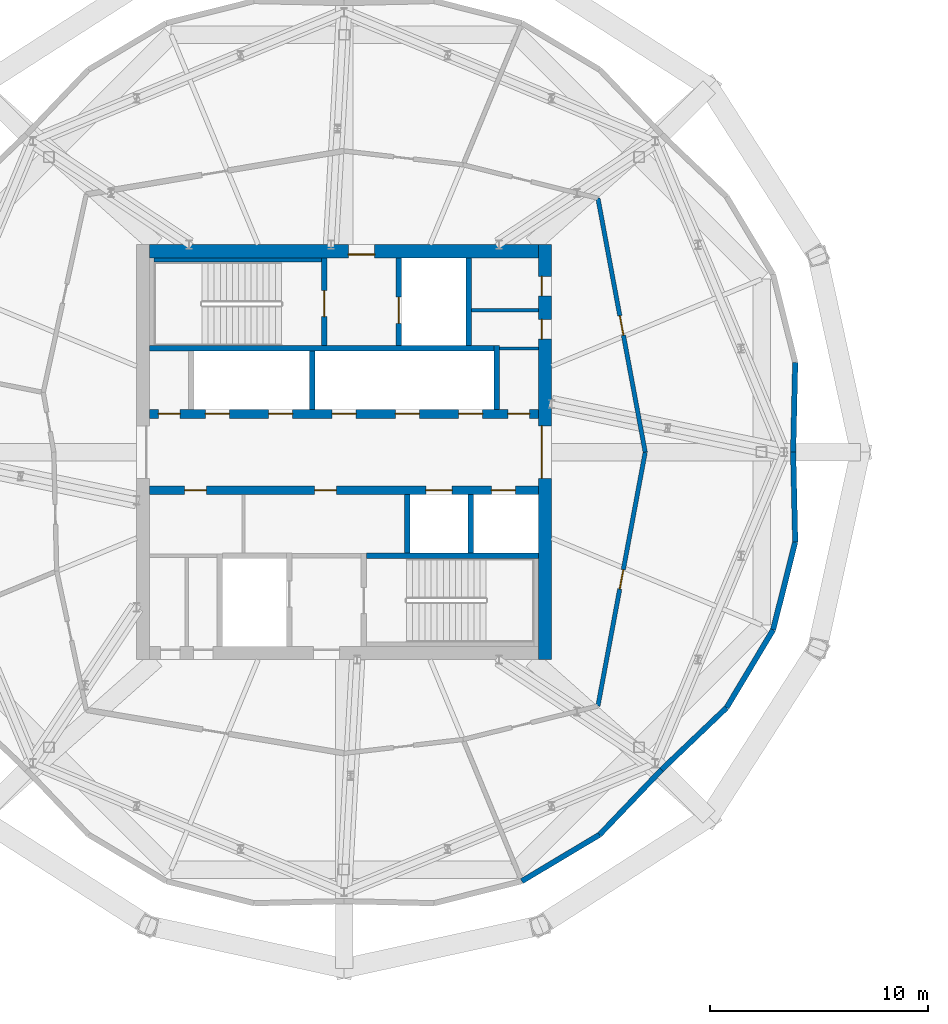
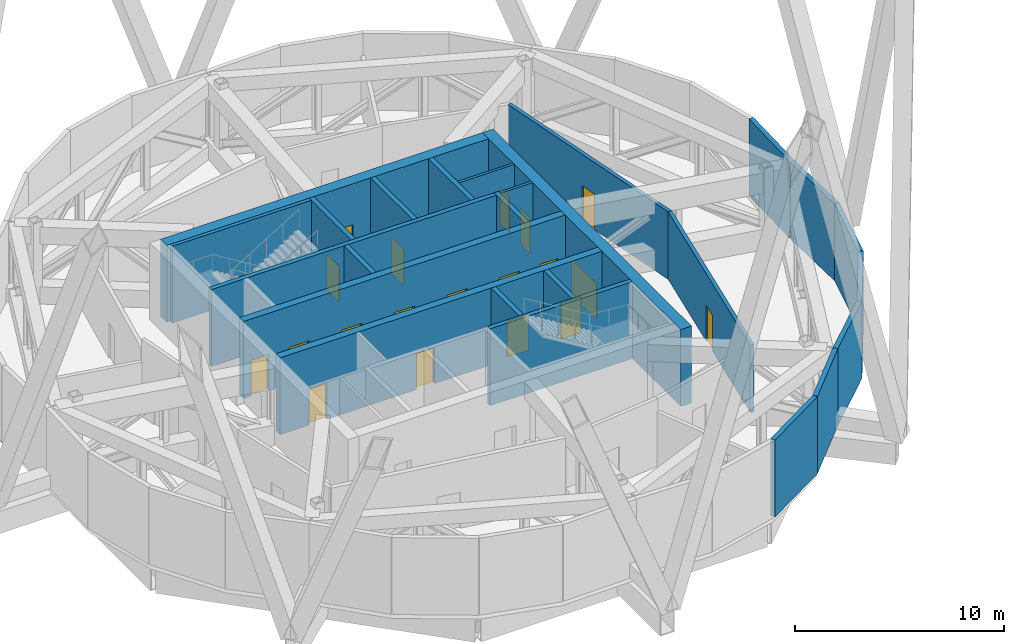
# One storey, part 13 of 19: 25 walls, 19 doors, 19 openings.
"""IFC4 building model written with IfcOpenShell, lengths in metres."""

from ifc_helpers import new_model, si_unit, direction, frame, frame_2d, origin, place, context, subcontext, project, spatial, rectangle, extrude, material, layer, layer_set, type_object, element, fill, save


model = new_model("IFC4")

# Units and contexts
model_context = context("Model", 3, precision=1e-05, world=origin(), true_north=direction((0.0, 1.0)))
body_context = subcontext(model_context, "Body", "Model", "MODEL_VIEW")
ifc_project = project(units=[si_unit("LENGTHUNIT", "METRE"), si_unit("AREAUNIT", "SQUARE_METRE"), si_unit("VOLUMEUNIT", "CUBIC_METRE"), si_unit("PLANEANGLEUNIT", "RADIAN"), si_unit("MASSUNIT", "GRAM", prefix="KILO")], contexts=[model_context])

# Site, building, storey
site_placement = place(None, origin())
site = spatial("IfcSite", under=ifc_project, at=site_placement, CompositionType="ELEMENT")
building_placement = place(site_placement, origin())
building = spatial("IfcBuilding", under=site, at=building_placement, Name="Ogive Gate Towers", CompositionType="ELEMENT")
storey_placement = place(building_placement, frame((0.0, 0.0, 216.300048828125)))
storey = spatial("IfcBuildingStorey", under=building, at=storey_placement, Name="L52", CompositionType="ELEMENT", Elevation=216.300048828125)

# Wall, opening, door
ifc_material_1 = material(Name="Fire-rated block compartment wall")
ifc_layer_1 = layer(ifc_material_1, 0.199951171875)
ifc_layer_set_1 = layer_set([ifc_layer_1], Name="Compartment wall 200")
wall_type_1 = type_object("IfcWallType", Name="Compartment wall 200", PredefinedType="PARTITIONING", material=ifc_layer_set_1)
wall_1_placement = place(storey_placement, frame((-22.2099609375, 0.0, 0.0), z_axis=(0.0, 0.0, 1.0), x_axis=(-0.183091690183, 0.983095841201, 0.0)))
wall_1 = element("IfcWall", 1, at=wall_1_placement, inside=storey, type_object=wall_type_1, Name="Partition T1-L52-005", PredefinedType="PARTITIONING", context=body_context, shape_type="SweptSolid", body=[
    extrude(rectangle(XDim=11.824951171875, YDim=0.199951171875, at=frame_2d((5.91259765625, 0.0))), origin(), (0.0, 0.0, 1.0), 3.949951171875),
])
opening_1_placement = place(wall_1_placement, frame((5.449951171875, 0.0, 0.0)))
opening_1 = element("IfcOpeningElement", 2, at=opening_1_placement, cuts=wall_1, Name="Opening T1-L52-D01", PredefinedType="OPENING", context=body_context, shape_type="SweptSolid", body=[
    extrude(rectangle(XDim=0.89990234375, YDim=2.10009765625, at=frame_2d((0.449951171875, 1.050048828125))), frame((0.0, 0.10986328125, 0.0), z_axis=(0.0, -1.0, 0.0), x_axis=(1.0, 0.0, 0.0)), (0.0, 0.0, 1.0), 0.219970703125),
])
ifc_material_2 = material(Name="Steel fire door", Category="steel")
door_type_1 = type_object("IfcDoorType", Name="Fire door 900 FD30S", OperationType="NOTDEFINED", PredefinedType="DOOR", material=ifc_material_2)
door_1_placement = place(opening_1_placement, origin())
door_1 = element("IfcDoor", 3, at=door_1_placement, inside=storey, type_object=door_type_1, Name="Door T1-L52-D01", OperationType="SINGLE_SWING_RIGHT", OverallHeight=2.10009765625, OverallWidth=0.89990234375, PredefinedType="DOOR", context=body_context, shape_type="SweptSolid", body=[
    extrude(rectangle(XDim=0.89990234375, YDim=2.10009765625, at=frame_2d((0.449951171875, 1.050048828125))), frame((0.0, 0.02490234375, 0.0), z_axis=(0.0, -1.0, 0.0), x_axis=(1.0, 0.0, 0.0)), (0.0, 0.0, 1.0), 0.050048828125),
])
fill(opening_1, door_1)

wall_2_placement = place(storey_placement, frame((-24.375, -11.625, 0.0), z_axis=(0.0, 0.0, 1.0), x_axis=(0.183091690183, 0.983095841201, 0.0)))
wall_2 = element("IfcWall", 4, at=wall_2_placement, inside=storey, type_object=wall_type_1, Name="Partition T1-L52-016", PredefinedType="PARTITIONING", context=body_context, shape_type="SweptSolid", body=[
    extrude(rectangle(XDim=11.824951171875, YDim=0.199951171875, at=frame_2d((5.91259765625, 0.0))), origin(), (0.0, 0.0, 1.0), 3.949951171875),
])
opening_2_placement = place(wall_2_placement, frame((5.449951171875, 0.0, 0.0)))
opening_2 = element("IfcOpeningElement", 5, at=opening_2_placement, cuts=wall_2, Name="Opening T1-L52-D12", PredefinedType="OPENING", context=body_context, shape_type="SweptSolid", body=[
    extrude(rectangle(XDim=0.89990234375, YDim=2.10009765625, at=frame_2d((0.449951171875, 1.050048828125))), frame((0.0, 0.10986328125, 0.0), z_axis=(0.0, -1.0, 0.0), x_axis=(1.0, 0.0, 0.0)), (0.0, 0.0, 1.0), 0.219970703125),
])
door_2_placement = place(opening_2_placement, origin())
door_2 = element("IfcDoor", 6, at=door_2_placement, inside=storey, type_object=door_type_1, Name="Door T1-L52-D12", OperationType="SINGLE_SWING_LEFT", OverallHeight=2.10009765625, OverallWidth=0.89990234375, PredefinedType="DOOR", context=body_context, shape_type="SweptSolid", body=[
    extrude(rectangle(XDim=0.89990234375, YDim=2.10009765625, at=frame_2d((0.449951171875, 1.050048828125))), frame((0.0, 0.02490234375, 0.0), z_axis=(0.0, -1.0, 0.0), x_axis=(1.0, 0.0, 0.0)), (0.0, 0.0, 1.0), 0.050048828125),
])
fill(opening_2, door_2)

ifc_material_3 = material(Name="Concrete C60/75", Category="concrete")
ifc_layer_2 = layer(ifc_material_3, 0.60009765625)
ifc_layer_set_2 = layer_set([ifc_layer_2], Name="Core wall 600 mm")
wall_type_2 = type_object("IfcWallType", Name="Core wall 600 mm", PredefinedType="SHEAR", material=ifc_layer_set_2)
wall_3_placement = place(storey_placement, frame((-44.89990234375, 9.199951171875, 0.0), z_axis=(0.0, 0.0, 1.0), x_axis=(1.0, 0.0, 0.0)))
wall_3 = element("IfcWall", 7, at=wall_3_placement, inside=storey, type_object=wall_type_2, Name="T1 L52 Core wall 600 mm", PredefinedType="SHEAR", context=body_context, shape_type="SweptSolid", body=[
    extrude(rectangle(XDim=17.7998046875, YDim=0.60009765625, at=frame_2d((8.89990234375, 0.0))), origin(), (0.0, 0.0, 1.0), 4.5),
])
opening_3_placement = place(wall_3_placement, frame((9.10009765625, 0.0, 0.0)))
opening_3 = element("IfcOpeningElement", 8, at=opening_3_placement, cuts=wall_3, Name="Opening KD-T1-L52-18", PredefinedType="OPENING", context=body_context, shape_type="SweptSolid", body=[
    extrude(rectangle(XDim=1.199951171875, YDim=2.10009765625, at=frame_2d((0.60009765625, 1.050048828125))), frame((0.0, 0.31005859375, 0.0), z_axis=(0.0, -1.0, 0.0), x_axis=(1.0, 0.0, 0.0)), (0.0, 0.0, 1.0), 0.6201171875),
])
door_type_2 = type_object("IfcDoorType", Name="Core door FD60S 1200 x 2100", OperationType="NOTDEFINED", PredefinedType="DOOR", material=ifc_material_2)
door_3_placement = place(opening_3_placement, origin())
door_3 = element("IfcDoor", 9, at=door_3_placement, inside=storey, type_object=door_type_2, Name="T1 L52 Fire-fighting lobby door", OperationType="SINGLE_SWING_LEFT", OverallHeight=2.10009765625, OverallWidth=1.199951171875, PredefinedType="DOOR", context=body_context, shape_type="SweptSolid", body=[
    extrude(rectangle(XDim=1.199951171875, YDim=2.10009765625, at=frame_2d((0.60009765625, 1.050048828125))), frame((0.0, -0.125, 0.0), z_axis=(0.0, -1.0, 0.0), x_axis=(1.0, 0.0, 0.0)), (0.0, 0.0, 1.0), 0.050048828125),
])
fill(opening_3, door_3)

# Wall, openings, doors
wall_4_placement = place(storey_placement, frame((-26.800048828125, -9.5, 0.0), z_axis=(0.0, 0.0, 1.0), x_axis=(0.0, 1.0, 0.0)))
wall_4 = element("IfcWall", 10, at=wall_4_placement, inside=storey, type_object=wall_type_2, Name="T1 L52 Core wall 600 mm", PredefinedType="SHEAR", context=body_context, shape_type="SweptSolid", body=[
    extrude(rectangle(XDim=19.0, YDim=0.60009765625, at=frame_2d((9.5, 0.0))), origin(), (0.0, 0.0, 1.0), 4.5),
])
opening_4_placement = place(wall_4_placement, frame((8.300048828125, 0.0, 0.0)))
opening_4 = element("IfcOpeningElement", 11, at=opening_4_placement, cuts=wall_4, Name="Opening KD-T1-L52-02", PredefinedType="OPENING", context=body_context, shape_type="SweptSolid", body=[
    extrude(rectangle(XDim=2.39990234375, YDim=2.10009765625, at=frame_2d((1.199951171875, 1.050048828125))), frame((0.0, 0.31005859375, 0.0), z_axis=(0.0, -1.0, 0.0), x_axis=(1.0, 0.0, 0.0)), (0.0, 0.0, 1.0), 0.6201171875),
])
opening_5_placement = place(wall_4_placement, frame((14.675048828125, 0.0, 0.0)))
opening_5 = element("IfcOpeningElement", 12, at=opening_5_placement, cuts=wall_4, Name="Opening KD-T1-L52-20", PredefinedType="OPENING", context=body_context, shape_type="SweptSolid", body=[
    extrude(rectangle(XDim=0.89990234375, YDim=2.10009765625, at=frame_2d((0.449951171875, 1.050048828125))), frame((0.0, 0.31005859375, 0.0), z_axis=(0.0, -1.0, 0.0), x_axis=(1.0, 0.0, 0.0)), (0.0, 0.0, 1.0), 0.6201171875),
])
opening_6_placement = place(wall_4_placement, frame((16.64990234375, 0.0, 0.0)))
opening_6 = element("IfcOpeningElement", 13, at=opening_6_placement, cuts=wall_4, Name="Opening KD-T1-L52-21", PredefinedType="OPENING", context=body_context, shape_type="SweptSolid", body=[
    extrude(rectangle(XDim=0.89990234375, YDim=2.10009765625, at=frame_2d((0.449951171875, 1.050048828125))), frame((0.0, 0.31005859375, 0.0), z_axis=(0.0, -1.0, 0.0), x_axis=(1.0, 0.0, 0.0)), (0.0, 0.0, 1.0), 0.6201171875),
])
door_type_3 = type_object("IfcDoorType", Name="Core door FD60S 900 x 2100", OperationType="NOTDEFINED", PredefinedType="DOOR", material=ifc_material_2)
door_4_placement = place(opening_5_placement, origin())
door_4 = element("IfcDoor", 14, at=door_4_placement, inside=storey, type_object=door_type_3, Name="T1 L52 Core door", OperationType="SINGLE_SWING_LEFT", OverallHeight=2.10009765625, OverallWidth=0.89990234375, PredefinedType="DOOR", context=body_context, shape_type="SweptSolid", body=[
    extrude(rectangle(XDim=0.89990234375, YDim=2.10009765625, at=frame_2d((0.449951171875, 1.050048828125))), frame((0.0, 0.1748046875, 0.0), z_axis=(0.0, -1.0, 0.0), x_axis=(1.0, 0.0, 0.0)), (0.0, 0.0, 1.0), 0.050048828125),
])
fill(opening_5, door_4)
door_5_placement = place(opening_6_placement, origin())
door_5 = element("IfcDoor", 15, at=door_5_placement, inside=storey, type_object=door_type_3, Name="T1 L52 Core door", OperationType="SINGLE_SWING_RIGHT", OverallHeight=2.10009765625, OverallWidth=0.89990234375, PredefinedType="DOOR", context=body_context, shape_type="SweptSolid", body=[
    extrude(rectangle(XDim=0.89990234375, YDim=2.10009765625, at=frame_2d((0.449951171875, 1.050048828125))), frame((0.0, 0.1748046875, 0.0), z_axis=(0.0, -1.0, 0.0), x_axis=(1.0, 0.0, 0.0)), (0.0, 0.0, 1.0), 0.050048828125),
])
fill(opening_6, door_5)
door_type_4 = type_object("IfcDoorType", Name="Core double door FD60S 2400 x 2100", OperationType="DOUBLE_DOOR_SINGLE_SWING", PredefinedType="DOOR", material=ifc_material_2)
door_6_placement = place(opening_4_placement, origin())
door_6 = element("IfcDoor", 16, at=door_6_placement, inside=storey, type_object=door_type_4, Name="T1 L52 Core door double", OperationType="DOUBLE_DOOR_SINGLE_SWING", OverallHeight=2.10009765625, OverallWidth=2.39990234375, PredefinedType="DOOR", context=body_context, shape_type="SweptSolid", body=[
    extrude(rectangle(XDim=2.39990234375, YDim=2.10009765625, at=frame_2d((1.199951171875, 1.050048828125))), frame((0.0, 0.1748046875, 0.0), z_axis=(0.0, -1.0, 0.0), x_axis=(1.0, 0.0, 0.0)), (0.0, 0.0, 1.0), 0.050048828125),
])
fill(opening_4, door_6)

# Walls
ifc_material_4 = material(Name="Pale metal aluminium louvre", Category="aluminium")
ifc_layer_3 = layer(ifc_material_4, 0.25)
ifc_layer_set_3 = layer_set([ifc_layer_3], Name="Plant louvre wall")
wall_type_3 = type_object("IfcWallType", Name="Plant louvre wall", PredefinedType="SOLIDWALL", material=ifc_layer_set_3)
wall_5_placement = place(storey_placement, frame((-15.43505859375, 0.0, 0.0), z_axis=(0.0, 0.0, 1.0), x_axis=(0.02303289986, 0.999734707572, 0.0)))
element("IfcWall", 17, at=wall_5_placement, inside=storey, type_object=wall_type_3, Name="Plant louvre wall", PredefinedType="SOLIDWALL", context=body_context, shape_type="SweptSolid", body=[
    extrude(rectangle(XDim=4.112548828125, YDim=0.25, at=frame_2d((2.05615234375, 0.0))), origin(), (0.0, 0.0, 1.0), 4.5),
])
wall_6_placement = place(storey_placement, frame((-27.8623046875, -19.64599609375, 0.0), z_axis=(0.0, 0.0, 1.0), x_axis=(0.858363438852, 0.513042110204, 0.0)))
element("IfcWall", 18, at=wall_6_placement, inside=storey, type_object=wall_type_3, Name="Plant louvre wall", PredefinedType="SOLIDWALL", context=body_context, shape_type="SweptSolid", body=[
    extrude(rectangle(XDim=4.1513671875, YDim=0.25, at=frame_2d((2.07568359375, 0.0))), origin(), (0.0, 0.0, 1.0), 4.5),
])
for number, where, z_axis, x_axis, name in (
    (19, (-24.298828125, -17.51611328125, 0.0), (0.0, 0.0, 1.0), (0.690594329072, 0.723242333283, 0.0), "Plant louvre wall"),
    (20, (-21.45849609375, -14.54150390625, 0.0), (0.0, 0.0, 1.0), (0.723242333283, 0.690594329072, 0.0), "Plant louvre wall"),
):
    element("IfcWall", number, at=place(storey_placement, frame(where, z_axis=z_axis, x_axis=x_axis)), inside=storey, type_object=wall_type_3, Name=name, PredefinedType="SOLIDWALL", context=body_context, shape_type="SweptSolid", body=[
        extrude(rectangle(XDim=4.11279296875, YDim=0.25, at=frame_2d((2.056396484375, 0.0))), origin(), (0.0, 0.0, 1.0), 4.5),
    ])
wall_7_placement = place(storey_placement, frame((-18.48388671875, -11.701171875, 0.0), z_axis=(0.0, 0.0, 1.0), x_axis=(0.513042110204, 0.858363438852, 0.0)))
element("IfcWall", 21, at=wall_7_placement, inside=storey, type_object=wall_type_3, Name="Plant louvre wall", PredefinedType="SOLIDWALL", context=body_context, shape_type="SweptSolid", body=[
    extrude(rectangle(XDim=4.1513671875, YDim=0.25, at=frame_2d((2.07568359375, 0.0))), origin(), (0.0, 0.0, 1.0), 4.5),
])
wall_8_placement = place(storey_placement, frame((-16.35400390625, -8.1376953125, 0.0), z_axis=(0.0, 0.0, 1.0), x_axis=(0.244154126363, 0.969736439751, 0.0)))
element("IfcWall", 22, at=wall_8_placement, inside=storey, type_object=wall_type_3, Name="Plant louvre wall", PredefinedType="SOLIDWALL", context=body_context, shape_type="SweptSolid", body=[
    extrude(rectangle(XDim=4.15185546875, YDim=0.25, at=frame_2d((2.075927734375, 0.0))), origin(), (0.0, 0.0, 1.0), 4.5),
])
wall_9_placement = place(storey_placement, frame((-15.34033203125, -4.111572265625, 0.0), z_axis=(0.0, 0.0, 1.0), x_axis=(-0.02303289986, 0.999734707572, 0.0)))
element("IfcWall", 23, at=wall_9_placement, inside=storey, type_object=wall_type_3, Name="Plant louvre wall", PredefinedType="SOLIDWALL", context=body_context, shape_type="SweptSolid", body=[
    extrude(rectangle(XDim=4.112548828125, YDim=0.25, at=frame_2d((2.05615234375, 0.0))), origin(), (0.0, 0.0, 1.0), 4.5),
])
ifc_material_5 = material(Name="Gypsum board partition")
ifc_layer_4 = layer(ifc_material_5, 0.14990234375)
ifc_layer_set_4 = layer_set([ifc_layer_4], Name="Room partition 150 mm")
wall_type_4 = type_object("IfcWallType", Name="Room partition 150 mm", PredefinedType="PARTITIONING", material=ifc_layer_set_4)
wall_10_placement = place(storey_placement, frame((-28.875, 4.75, 0.0), z_axis=(0.0, 0.0, 1.0), x_axis=(1.0, 0.0, 0.0)))
element("IfcWall", 24, at=wall_10_placement, inside=storey, type_object=wall_type_4, Name="T1 L52 Room partition 150 mm", PredefinedType="PARTITIONING", context=body_context, shape_type="SweptSolid", body=[
    extrude(rectangle(XDim=1.77490234375, YDim=0.14990234375, at=frame_2d((0.887451171875, 0.0))), origin(), (0.0, 0.0, 1.0), 4.5),
])
wall_11_placement = place(storey_placement, frame((-30.175048828125, 6.5, 0.0), z_axis=(0.0, 0.0, 1.0), x_axis=(1.0, 0.0, 0.0)))
element("IfcWall", 25, at=wall_11_placement, inside=storey, type_object=wall_type_4, Name="T1 L52 Room partition 150 mm", PredefinedType="PARTITIONING", context=body_context, shape_type="SweptSolid", body=[
    extrude(rectangle(XDim=3.074951171875, YDim=0.14990234375, at=frame_2d((1.53759765625, 0.0))), origin(), (0.0, 0.0, 1.0), 4.5),
])
ifc_layer_5 = layer(ifc_material_3, 0.25)
ifc_layer_set_5 = layer_set([ifc_layer_5], Name="Shaft wall 250 mm")
wall_type_5 = type_object("IfcWallType", Name="Shaft wall 250 mm", PredefinedType="SHEAR", material=ifc_layer_set_5)
wall_12_placement = place(storey_placement, frame((-34.97509765625, -4.75, 0.0), z_axis=(0.0, 0.0, 1.0), x_axis=(1.0, 0.0, 0.0)))
element("IfcWall", 26, at=wall_12_placement, inside=storey, type_object=wall_type_5, Name="T1 L52 Shaft wall 250 mm", PredefinedType="SHEAR", context=body_context, shape_type="SweptSolid", body=[
    extrude(rectangle(XDim=7.875, YDim=0.25, at=frame_2d((3.9375, 0.0))), origin(), (0.0, 0.0, 1.0), 4.5),
])
wall_13_placement = place(storey_placement, frame((-44.89990234375, 4.75, 0.0), z_axis=(0.0, 0.0, 1.0), x_axis=(1.0, 0.0, 0.0)))
element("IfcWall", 27, at=wall_13_placement, inside=storey, type_object=wall_type_5, Name="T1 L52 Shaft wall 250 mm", PredefinedType="SHEAR", context=body_context, shape_type="SweptSolid", body=[
    extrude(rectangle(XDim=15.77490234375, YDim=0.25, at=frame_2d((7.887451171875, 0.0))), origin(), (0.0, 0.0, 1.0), 4.5),
])
wall_14_placement = place(storey_placement, frame((-37.449951171875, 1.949951171875, 0.0), z_axis=(0.0, 0.0, 1.0), x_axis=(0.0, 1.0, 0.0)))
element("IfcWall", 28, at=wall_14_placement, inside=storey, type_object=wall_type_5, Name="T1 L52 Shaft wall 250 mm", PredefinedType="SHEAR", context=body_context, shape_type="SweptSolid", body=[
    extrude(rectangle(XDim=2.675048828125, YDim=0.25, at=frame_2d((1.33740234375, 0.0))), origin(), (0.0, 0.0, 1.0), 4.5),
])

# Wall, opening, door
wall_15_placement = place(storey_placement, frame((-36.89990234375, 4.875, 0.0), z_axis=(0.0, 0.0, 1.0), x_axis=(0.0, 1.0, 0.0)))
wall_15 = element("IfcWall", 29, at=wall_15_placement, inside=storey, type_object=wall_type_5, Name="T1 L52 Shaft wall 250 mm", PredefinedType="SHEAR", context=body_context, shape_type="SweptSolid", body=[
    extrude(rectangle(XDim=4.02490234375, YDim=0.25, at=frame_2d((2.012451171875, 0.0))), origin(), (0.0, 0.0, 1.0), 4.5),
])
opening_7_placement = place(wall_15_placement, frame((1.324951171875, 0.0, 0.0)))
opening_7 = element("IfcOpeningElement", 30, at=opening_7_placement, cuts=wall_15, Name="Opening KD-T1-L52-16", PredefinedType="OPENING", context=body_context, shape_type="SweptSolid", body=[
    extrude(rectangle(XDim=1.199951171875, YDim=2.10009765625, at=frame_2d((0.60009765625, 1.050048828125))), frame((0.0, 0.135009765625, 0.0), z_axis=(0.0, -1.0, 0.0), x_axis=(1.0, 0.0, 0.0)), (0.0, 0.0, 1.0), 0.27001953125),
])
door_7_placement = place(opening_7_placement, origin())
door_7 = element("IfcDoor", 31, at=door_7_placement, inside=storey, type_object=door_type_2, Name="T1 L52 Stair door", OperationType="SINGLE_SWING_LEFT", OverallHeight=2.10009765625, OverallWidth=1.199951171875, PredefinedType="DOOR", context=body_context, shape_type="SweptSolid", body=[
    extrude(rectangle(XDim=1.199951171875, YDim=2.10009765625, at=frame_2d((0.60009765625, 1.050048828125))), frame((0.0, 0.02490234375, 0.0), z_axis=(0.0, -1.0, 0.0), x_axis=(1.0, 0.0, 0.0)), (0.0, 0.0, 1.0), 0.050048828125),
])
fill(opening_7, door_7)

wall_16_placement = place(storey_placement, frame((-33.5, 4.875, 0.0), z_axis=(0.0, 0.0, 1.0), x_axis=(0.0, 1.0, 0.0)))
wall_16 = element("IfcWall", 32, at=wall_16_placement, inside=storey, type_object=wall_type_5, Name="T1 L52 Shaft wall 250 mm", PredefinedType="SHEAR", context=body_context, shape_type="SweptSolid", body=[
    extrude(rectangle(XDim=4.02490234375, YDim=0.25, at=frame_2d((2.012451171875, 0.0))), origin(), (0.0, 0.0, 1.0), 4.5),
])
opening_8_placement = place(wall_16_placement, frame((1.02490234375, 0.0, 0.0)))
opening_8 = element("IfcOpeningElement", 33, at=opening_8_placement, cuts=wall_16, Name="Opening LD-T1-L52-12", PredefinedType="OPENING", context=body_context, shape_type="SweptSolid", body=[
    extrude(rectangle(XDim=1.199951171875, YDim=2.10009765625, at=frame_2d((0.60009765625, 1.050048828125))), frame((0.0, 0.135009765625, 0.0), z_axis=(0.0, -1.0, 0.0), x_axis=(1.0, 0.0, 0.0)), (0.0, 0.0, 1.0), 0.27001953125),
])
ifc_material_6 = material(Name="Stainless steel landing door", Category="steel")
door_type_5 = type_object("IfcDoorType", Name="Landing door 1200 x 2100", OperationType="SLIDING_TO_LEFT", PredefinedType="DOOR", material=ifc_material_6)
door_8_placement = place(opening_8_placement, origin())
door_8 = element("IfcDoor", 34, at=door_8_placement, inside=storey, type_object=door_type_5, Name="T1 L52 Lift landing door FF1", OperationType="SLIDING_TO_LEFT", OverallHeight=2.10009765625, OverallWidth=1.199951171875, PredefinedType="DOOR", context=body_context, shape_type="SweptSolid", body=[
    extrude(rectangle(XDim=1.199951171875, YDim=2.10009765625, at=frame_2d((0.60009765625, 1.050048828125))), frame((0.0, 0.02490234375, 0.0), z_axis=(0.0, -1.0, 0.0), x_axis=(1.0, 0.0, 0.0)), (0.0, 0.0, 1.0), 0.050048828125),
])
fill(opening_8, door_8)

# Walls
wall_17_placement = place(storey_placement, frame((-33.10009765625, -4.625, 0.0), z_axis=(0.0, 0.0, 1.0), x_axis=(0.0, 1.0, 0.0)))
element("IfcWall", 35, at=wall_17_placement, inside=storey, type_object=wall_type_5, Name="T1 L52 Shaft wall 250 mm", PredefinedType="SHEAR", context=body_context, shape_type="SweptSolid", body=[
    extrude(rectangle(XDim=2.675048828125, YDim=0.25, at=frame_2d((1.33740234375, 0.0))), origin(), (0.0, 0.0, 1.0), 4.5),
])
wall_18_placement = place(storey_placement, frame((-30.300048828125, 4.875, 0.0), z_axis=(0.0, 0.0, 1.0), x_axis=(0.0, 1.0, 0.0)))
element("IfcWall", 36, at=wall_18_placement, inside=storey, type_object=wall_type_5, Name="T1 L52 Shaft wall 250 mm", PredefinedType="SHEAR", context=body_context, shape_type="SweptSolid", body=[
    extrude(rectangle(XDim=4.02490234375, YDim=0.25, at=frame_2d((2.012451171875, 0.0))), origin(), (0.0, 0.0, 1.0), 4.5),
])
wall_19_placement = place(storey_placement, frame((-30.199951171875, -4.625, 0.0), z_axis=(0.0, 0.0, 1.0), x_axis=(0.0, 1.0, 0.0)))
element("IfcWall", 37, at=wall_19_placement, inside=storey, type_object=wall_type_5, Name="T1 L52 Shaft wall 250 mm", PredefinedType="SHEAR", context=body_context, shape_type="SweptSolid", body=[
    extrude(rectangle(XDim=2.675048828125, YDim=0.25, at=frame_2d((1.33740234375, 0.0))), origin(), (0.0, 0.0, 1.0), 4.5),
])
wall_20_placement = place(storey_placement, frame((-29.0, 1.949951171875, 0.0), z_axis=(0.0, 0.0, 1.0), x_axis=(0.0, 1.0, 0.0)))
element("IfcWall", 38, at=wall_20_placement, inside=storey, type_object=wall_type_5, Name="T1 L52 Shaft wall 250 mm", PredefinedType="SHEAR", context=body_context, shape_type="SweptSolid", body=[
    extrude(rectangle(XDim=2.925048828125, YDim=0.25, at=frame_2d((1.46240234375, 0.0))), origin(), (0.0, 0.0, 1.0), 4.5),
])

# Wall, openings, doors
ifc_layer_6 = layer(ifc_material_3, 0.39990234375)
ifc_layer_set_6 = layer_set([ifc_layer_6], Name="Spine wall 400 mm")
wall_type_6 = type_object("IfcWallType", Name="Spine wall 400 mm", PredefinedType="SHEAR", material=ifc_layer_set_6)
wall_21_placement = place(storey_placement, frame((-44.89990234375, -1.75, 0.0), z_axis=(0.0, 0.0, 1.0), x_axis=(1.0, 0.0, 0.0)))
wall_21 = element("IfcWall", 39, at=wall_21_placement, inside=storey, type_object=wall_type_6, Name="T1 L52 Spine wall 400 mm", PredefinedType="SHEAR", context=body_context, shape_type="SweptSolid", body=[
    extrude(rectangle(XDim=17.7998046875, YDim=0.39990234375, at=frame_2d((8.89990234375, 0.0))), origin(), (0.0, 0.0, 1.0), 4.5),
])
opening_9_placement = place(wall_21_placement, frame((12.64990234375, 0.0, 0.0)))
opening_9 = element("IfcOpeningElement", 40, at=opening_9_placement, cuts=wall_21, Name="Opening LD-T1-L52-10", PredefinedType="OPENING", context=body_context, shape_type="SweptSolid", body=[
    extrude(rectangle(XDim=1.199951171875, YDim=2.10009765625, at=frame_2d((0.60009765625, 1.050048828125))), frame((0.0, 0.2099609375, 0.0), z_axis=(0.0, -1.0, 0.0), x_axis=(1.0, 0.0, 0.0)), (0.0, 0.0, 1.0), 0.419921875),
])
opening_10_placement = place(wall_21_placement, frame((15.64990234375, 0.0, 0.0)))
opening_10 = element("IfcOpeningElement", 41, at=opening_10_placement, cuts=wall_21, Name="Opening LD-T1-L52-11", PredefinedType="OPENING", context=body_context, shape_type="SweptSolid", body=[
    extrude(rectangle(XDim=1.10009765625, YDim=2.10009765625, at=frame_2d((0.550048828125, 1.050048828125))), frame((0.0, 0.2099609375, 0.0), z_axis=(0.0, -1.0, 0.0), x_axis=(1.0, 0.0, 0.0)), (0.0, 0.0, 1.0), 0.419921875),
])
opening_11_placement = place(wall_21_placement, frame((1.60009765625, 0.0, 0.0)))
opening_11 = element("IfcOpeningElement", 42, at=opening_11_placement, cuts=wall_21, Name="Opening KD-T1-L52-14", PredefinedType="OPENING", context=body_context, shape_type="SweptSolid", body=[
    extrude(rectangle(XDim=1.0, YDim=2.10009765625, at=frame_2d((0.5, 1.050048828125))), frame((0.0, 0.2099609375, 0.0), z_axis=(0.0, -1.0, 0.0), x_axis=(1.0, 0.0, 0.0)), (0.0, 0.0, 1.0), 0.419921875),
])
opening_12_placement = place(wall_21_placement, frame((7.550048828125, 0.0, 0.0)))
opening_12 = element("IfcOpeningElement", 43, at=opening_12_placement, cuts=wall_21, Name="Opening KD-T1-L52-15", PredefinedType="OPENING", context=body_context, shape_type="SweptSolid", body=[
    extrude(rectangle(XDim=1.0, YDim=2.10009765625, at=frame_2d((0.5, 1.050048828125))), frame((0.0, 0.2099609375, 0.0), z_axis=(0.0, -1.0, 0.0), x_axis=(1.0, 0.0, 0.0)), (0.0, 0.0, 1.0), 0.419921875),
])
door_type_6 = type_object("IfcDoorType", Name="Core door FD60S 1000 x 2100", OperationType="NOTDEFINED", PredefinedType="DOOR", material=ifc_material_2)
door_9_placement = place(opening_11_placement, origin())
door_9 = element("IfcDoor", 44, at=door_9_placement, inside=storey, type_object=door_type_6, Name="T1 L52 Core door", OperationType="SINGLE_SWING_LEFT", OverallHeight=2.10009765625, OverallWidth=1.0, PredefinedType="DOOR", context=body_context, shape_type="SweptSolid", body=[
    extrude(rectangle(XDim=1.0, YDim=2.10009765625, at=frame_2d((0.5, 1.050048828125))), frame((0.0, 0.02490234375, 0.0), z_axis=(0.0, -1.0, 0.0), x_axis=(1.0, 0.0, 0.0)), (0.0, 0.0, 1.0), 0.050048828125),
])
fill(opening_11, door_9)
door_10_placement = place(opening_12_placement, origin())
door_10 = element("IfcDoor", 45, at=door_10_placement, inside=storey, type_object=door_type_6, Name="T1 L52 Core door", OperationType="SINGLE_SWING_RIGHT", OverallHeight=2.10009765625, OverallWidth=1.0, PredefinedType="DOOR", context=body_context, shape_type="SweptSolid", body=[
    extrude(rectangle(XDim=1.0, YDim=2.10009765625, at=frame_2d((0.5, 1.050048828125))), frame((0.0, 0.02490234375, 0.0), z_axis=(0.0, -1.0, 0.0), x_axis=(1.0, 0.0, 0.0)), (0.0, 0.0, 1.0), 0.050048828125),
])
fill(opening_12, door_10)
door_type_7 = type_object("IfcDoorType", Name="Landing door 1100 x 2100", OperationType="SLIDING_TO_LEFT", PredefinedType="DOOR", material=ifc_material_6)
door_11_placement = place(opening_10_placement, origin())
door_11 = element("IfcDoor", 46, at=door_11_placement, inside=storey, type_object=door_type_7, Name="T1 L52 Lift landing door B6", OperationType="SLIDING_TO_LEFT", OverallHeight=2.10009765625, OverallWidth=1.10009765625, PredefinedType="DOOR", context=body_context, shape_type="SweptSolid", body=[
    extrude(rectangle(XDim=1.10009765625, YDim=2.10009765625, at=frame_2d((0.550048828125, 1.050048828125))), frame((0.0, 0.02490234375, 0.0), z_axis=(0.0, -1.0, 0.0), x_axis=(1.0, 0.0, 0.0)), (0.0, 0.0, 1.0), 0.050048828125),
])
fill(opening_10, door_11)
door_12_placement = place(opening_9_placement, origin())
door_12 = element("IfcDoor", 47, at=door_12_placement, inside=storey, type_object=door_type_5, Name="T1 L52 Lift landing door SVC", OperationType="SLIDING_TO_LEFT", OverallHeight=2.10009765625, OverallWidth=1.199951171875, PredefinedType="DOOR", context=body_context, shape_type="SweptSolid", body=[
    extrude(rectangle(XDim=1.199951171875, YDim=2.10009765625, at=frame_2d((0.60009765625, 1.050048828125))), frame((0.0, 0.02490234375, 0.0), z_axis=(0.0, -1.0, 0.0), x_axis=(1.0, 0.0, 0.0)), (0.0, 0.0, 1.0), 0.050048828125),
])
fill(opening_9, door_12)

wall_22_placement = place(storey_placement, frame((-44.89990234375, 1.75, 0.0), z_axis=(0.0, 0.0, 1.0), x_axis=(1.0, 0.0, 0.0)))
wall_22 = element("IfcWall", 48, at=wall_22_placement, inside=storey, type_object=wall_type_6, Name="T1 L52 Spine wall 400 mm", PredefinedType="SHEAR", context=body_context, shape_type="SweptSolid", body=[
    extrude(rectangle(XDim=17.7998046875, YDim=0.39990234375, at=frame_2d((8.89990234375, 0.0))), origin(), (0.0, 0.0, 1.0), 4.5),
])
opening_13_placement = place(wall_22_placement, frame((0.39990234375, 0.0, 0.0)))
opening_13 = element("IfcOpeningElement", 49, at=opening_13_placement, cuts=wall_22, Name="Opening KD-T1-L52-03", PredefinedType="OPENING", context=body_context, shape_type="SweptSolid", body=[
    extrude(rectangle(XDim=1.0, YDim=2.10009765625, at=frame_2d((0.5, 1.050048828125))), frame((0.0, 0.2099609375, 0.0), z_axis=(0.0, -1.0, 0.0), x_axis=(1.0, 0.0, 0.0)), (0.0, 0.0, 1.0), 0.419921875),
])
opening_14_placement = place(wall_22_placement, frame((2.550048828125, 0.0, 0.0)))
opening_14 = element("IfcOpeningElement", 50, at=opening_14_placement, cuts=wall_22, Name="Opening LD-T1-L52-04", PredefinedType="OPENING", context=body_context, shape_type="SweptSolid", body=[
    extrude(rectangle(XDim=1.10009765625, YDim=2.10009765625, at=frame_2d((0.550048828125, 1.050048828125))), frame((0.0, 0.2099609375, 0.0), z_axis=(0.0, -1.0, 0.0), x_axis=(1.0, 0.0, 0.0)), (0.0, 0.0, 1.0), 0.419921875),
])
opening_15_placement = place(wall_22_placement, frame((5.449951171875, 0.0, 0.0)))
opening_15 = element("IfcOpeningElement", 51, at=opening_15_placement, cuts=wall_22, Name="Opening LD-T1-L52-05", PredefinedType="OPENING", context=body_context, shape_type="SweptSolid", body=[
    extrude(rectangle(XDim=1.10009765625, YDim=2.10009765625, at=frame_2d((0.550048828125, 1.050048828125))), frame((0.0, 0.2099609375, 0.0), z_axis=(0.0, -1.0, 0.0), x_axis=(1.0, 0.0, 0.0)), (0.0, 0.0, 1.0), 0.419921875),
])
opening_16_placement = place(wall_22_placement, frame((8.35009765625, 0.0, 0.0)))
opening_16 = element("IfcOpeningElement", 52, at=opening_16_placement, cuts=wall_22, Name="Opening LD-T1-L52-06", PredefinedType="OPENING", context=body_context, shape_type="SweptSolid", body=[
    extrude(rectangle(XDim=1.10009765625, YDim=2.10009765625, at=frame_2d((0.550048828125, 1.050048828125))), frame((0.0, 0.2099609375, 0.0), z_axis=(0.0, -1.0, 0.0), x_axis=(1.0, 0.0, 0.0)), (0.0, 0.0, 1.0), 0.419921875),
])
opening_17_placement = place(wall_22_placement, frame((11.25, 0.0, 0.0)))
opening_17 = element("IfcOpeningElement", 53, at=opening_17_placement, cuts=wall_22, Name="Opening LD-T1-L52-07", PredefinedType="OPENING", context=body_context, shape_type="SweptSolid", body=[
    extrude(rectangle(XDim=1.10009765625, YDim=2.10009765625, at=frame_2d((0.550048828125, 1.050048828125))), frame((0.0, 0.2099609375, 0.0), z_axis=(0.0, -1.0, 0.0), x_axis=(1.0, 0.0, 0.0)), (0.0, 0.0, 1.0), 0.419921875),
])
opening_18_placement = place(wall_22_placement, frame((14.14990234375, 0.0, 0.0)))
opening_18 = element("IfcOpeningElement", 54, at=opening_18_placement, cuts=wall_22, Name="Opening LD-T1-L52-08", PredefinedType="OPENING", context=body_context, shape_type="SweptSolid", body=[
    extrude(rectangle(XDim=1.10009765625, YDim=2.10009765625, at=frame_2d((0.550048828125, 1.050048828125))), frame((0.0, 0.2099609375, 0.0), z_axis=(0.0, -1.0, 0.0), x_axis=(1.0, 0.0, 0.0)), (0.0, 0.0, 1.0), 0.419921875),
])
opening_19_placement = place(wall_22_placement, frame((16.39990234375, 0.0, 0.0)))
opening_19 = element("IfcOpeningElement", 55, at=opening_19_placement, cuts=wall_22, Name="Opening KD-T1-L52-09", PredefinedType="OPENING", context=body_context, shape_type="SweptSolid", body=[
    extrude(rectangle(XDim=1.0, YDim=2.10009765625, at=frame_2d((0.5, 1.050048828125))), frame((0.0, 0.2099609375, 0.0), z_axis=(0.0, -1.0, 0.0), x_axis=(1.0, 0.0, 0.0)), (0.0, 0.0, 1.0), 0.419921875),
])
door_13_placement = place(opening_13_placement, origin())
door_13 = element("IfcDoor", 56, at=door_13_placement, inside=storey, type_object=door_type_6, Name="T1 L52 Core door", OperationType="SINGLE_SWING_RIGHT", OverallHeight=2.10009765625, OverallWidth=1.0, PredefinedType="DOOR", context=body_context, shape_type="SweptSolid", body=[
    extrude(rectangle(XDim=1.0, YDim=2.10009765625, at=frame_2d((0.5, 1.050048828125))), frame((0.0, 0.02490234375, 0.0), z_axis=(0.0, -1.0, 0.0), x_axis=(1.0, 0.0, 0.0)), (0.0, 0.0, 1.0), 0.050048828125),
])
fill(opening_13, door_13)
door_14_placement = place(opening_19_placement, origin())
door_14 = element("IfcDoor", 57, at=door_14_placement, inside=storey, type_object=door_type_6, Name="T1 L52 Core door", OperationType="SINGLE_SWING_RIGHT", OverallHeight=2.10009765625, OverallWidth=1.0, PredefinedType="DOOR", context=body_context, shape_type="SweptSolid", body=[
    extrude(rectangle(XDim=1.0, YDim=2.10009765625, at=frame_2d((0.5, 1.050048828125))), frame((0.0, 0.02490234375, 0.0), z_axis=(0.0, -1.0, 0.0), x_axis=(1.0, 0.0, 0.0)), (0.0, 0.0, 1.0), 0.050048828125),
])
fill(opening_19, door_14)
door_15_placement = place(opening_14_placement, origin())
door_15 = element("IfcDoor", 58, at=door_15_placement, inside=storey, type_object=door_type_7, Name="T1 L52 Lift landing door B1", OperationType="SLIDING_TO_LEFT", OverallHeight=2.10009765625, OverallWidth=1.10009765625, PredefinedType="DOOR", context=body_context, shape_type="SweptSolid", body=[
    extrude(rectangle(XDim=1.10009765625, YDim=2.10009765625, at=frame_2d((0.550048828125, 1.050048828125))), frame((0.0, 0.02490234375, 0.0), z_axis=(0.0, -1.0, 0.0), x_axis=(1.0, 0.0, 0.0)), (0.0, 0.0, 1.0), 0.050048828125),
])
fill(opening_14, door_15)
door_16_placement = place(opening_15_placement, origin())
door_16 = element("IfcDoor", 59, at=door_16_placement, inside=storey, type_object=door_type_7, Name="T1 L52 Lift landing door B2", OperationType="SLIDING_TO_LEFT", OverallHeight=2.10009765625, OverallWidth=1.10009765625, PredefinedType="DOOR", context=body_context, shape_type="SweptSolid", body=[
    extrude(rectangle(XDim=1.10009765625, YDim=2.10009765625, at=frame_2d((0.550048828125, 1.050048828125))), frame((0.0, 0.02490234375, 0.0), z_axis=(0.0, -1.0, 0.0), x_axis=(1.0, 0.0, 0.0)), (0.0, 0.0, 1.0), 0.050048828125),
])
fill(opening_15, door_16)
door_17_placement = place(opening_16_placement, origin())
door_17 = element("IfcDoor", 60, at=door_17_placement, inside=storey, type_object=door_type_7, Name="T1 L52 Lift landing door B3", OperationType="SLIDING_TO_LEFT", OverallHeight=2.10009765625, OverallWidth=1.10009765625, PredefinedType="DOOR", context=body_context, shape_type="SweptSolid", body=[
    extrude(rectangle(XDim=1.10009765625, YDim=2.10009765625, at=frame_2d((0.550048828125, 1.050048828125))), frame((0.0, 0.02490234375, 0.0), z_axis=(0.0, -1.0, 0.0), x_axis=(1.0, 0.0, 0.0)), (0.0, 0.0, 1.0), 0.050048828125),
])
fill(opening_16, door_17)
door_18_placement = place(opening_17_placement, origin())
door_18 = element("IfcDoor", 61, at=door_18_placement, inside=storey, type_object=door_type_7, Name="T1 L52 Lift landing door B4", OperationType="SLIDING_TO_LEFT", OverallHeight=2.10009765625, OverallWidth=1.10009765625, PredefinedType="DOOR", context=body_context, shape_type="SweptSolid", body=[
    extrude(rectangle(XDim=1.10009765625, YDim=2.10009765625, at=frame_2d((0.550048828125, 1.050048828125))), frame((0.0, 0.02490234375, 0.0), z_axis=(0.0, -1.0, 0.0), x_axis=(1.0, 0.0, 0.0)), (0.0, 0.0, 1.0), 0.050048828125),
])
fill(opening_17, door_18)
door_19_placement = place(opening_18_placement, origin())
door_19 = element("IfcDoor", 62, at=door_19_placement, inside=storey, type_object=door_type_7, Name="T1 L52 Lift landing door B5", OperationType="SLIDING_TO_LEFT", OverallHeight=2.10009765625, OverallWidth=1.10009765625, PredefinedType="DOOR", context=body_context, shape_type="SweptSolid", body=[
    extrude(rectangle(XDim=1.10009765625, YDim=2.10009765625, at=frame_2d((0.550048828125, 1.050048828125))), frame((0.0, 0.02490234375, 0.0), z_axis=(0.0, -1.0, 0.0), x_axis=(1.0, 0.0, 0.0)), (0.0, 0.0, 1.0), 0.050048828125),
])
fill(opening_18, door_19)

# Wall
ifc_layer_7 = layer(ifc_material_3, 0.199951171875)
ifc_layer_set_7 = layer_set([ifc_layer_7], Name="Stair wall 200 mm")
wall_type_7 = type_object("IfcWallType", Name="Stair wall 200 mm", PredefinedType="SHEAR", material=ifc_layer_set_7)
wall_23_placement = place(storey_placement, frame((-44.699951171875, 8.800048828125, 0.0), z_axis=(0.0, 0.0, 1.0), x_axis=(1.0, 0.0, 0.0)))
element("IfcWall", 63, at=wall_23_placement, inside=storey, type_object=wall_type_7, Name="T1 L52 Stair wall 200 mm", PredefinedType="SHEAR", context=body_context, shape_type="SweptSolid", body=[
    extrude(rectangle(XDim=7.675048828125, YDim=0.199951171875, at=frame_2d((3.83740234375, 0.0))), origin(), (0.0, 0.0, 1.0), 4.5),
])

save(model, "model.ifc")
